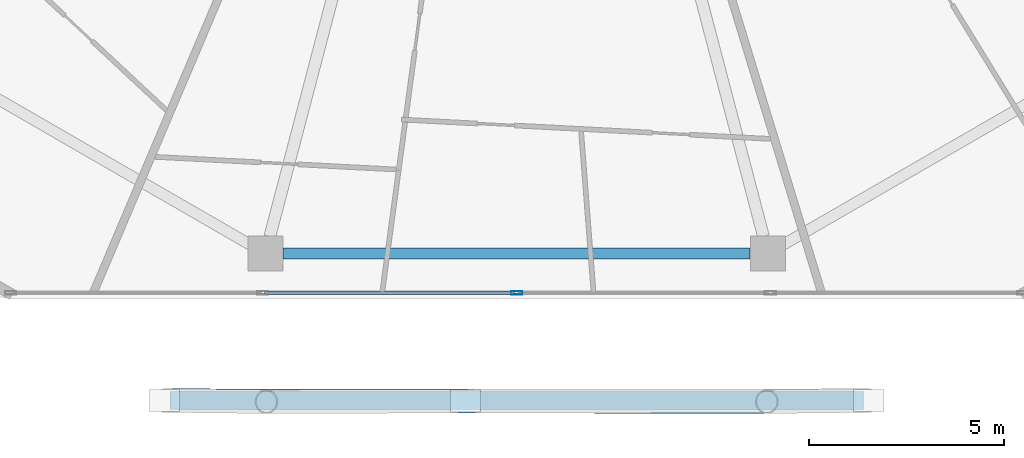
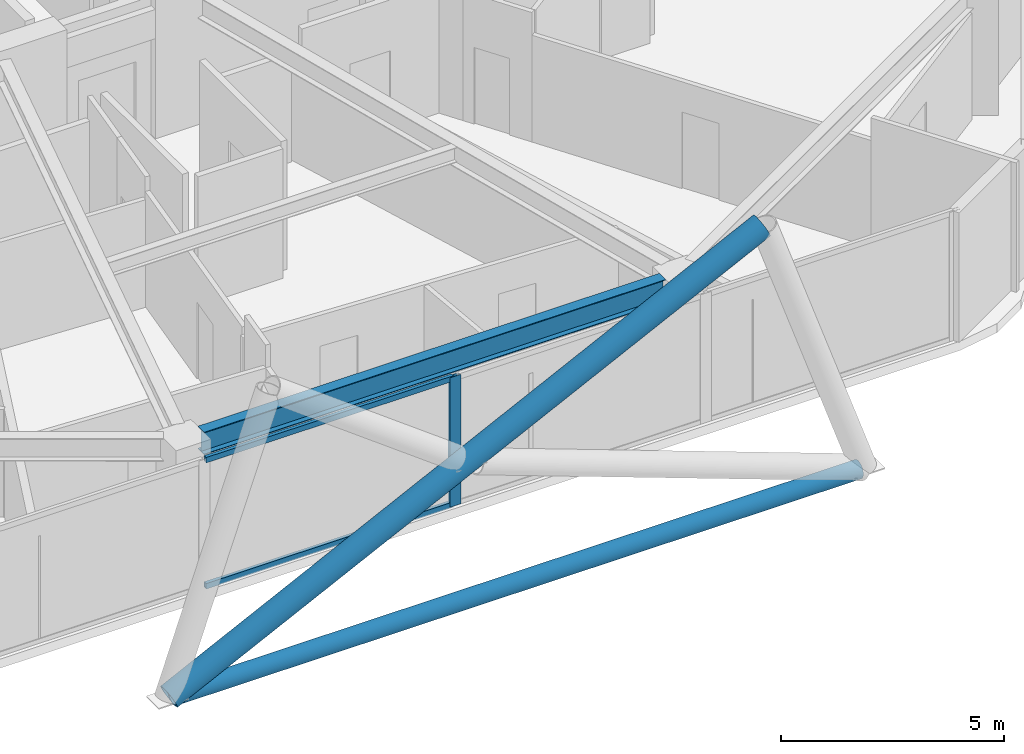
# One storey, part 4 of 27: 5 members, 1 beam, 1 element without a shape of its own.
"""IFC4 building model written with IfcOpenShell, lengths in metres."""

import ifcopenshell
import ifcopenshell.guid

model = None  # the IFC model being written
_history = None  # IfcOwnerHistory: only IFC2X3 demands one
_inside = {}  # id of a spatial element -> (the spatial element, [elements in it])
_under = {}  # id of a project, library or spatial element -> (it, [spatial elements below it])
_declared = {}  # id of a project -> (the project, [libraries it declares])
_typed = {}  # id of a type object -> (the type object, [elements of that type])
_made_of = {}  # id of a material, layer set ... -> (it, [elements and type objects made of it])


def new_model(schema):
    """Start an empty IFC model of exactly this schema.

    Asked for "IFC4X3", IfcOpenShell would pick the latest addendum, in which some entities
    have other attributes; the version numbers below select the first issue.
    IFC2X3 requires an IfcOwnerHistory on every rooted entity: one is made here for all.
    """
    global model, _history
    if schema == "IFC4X3":
        model = ifcopenshell.file(schema_version=(4, 3, 0, 0))
    else:
        model = ifcopenshell.file(schema=schema)
    _inside.clear()
    _under.clear()
    _declared.clear()
    _typed.clear()
    _made_of.clear()
    _history = None
    if model.schema == "IFC2X3":
        org = make("IfcOrganization", Name="unknown")
        user = make(
            "IfcPersonAndOrganization",
            ThePerson=make("IfcPerson", FamilyName="unknown"),
            TheOrganization=org,
        )
        app = make(
            "IfcApplication",
            ApplicationDeveloper=org,
            Version="unknown",
            ApplicationFullName="unknown",
            ApplicationIdentifier="unknown",
        )
        _history = make(
            "IfcOwnerHistory",
            OwningUser=user,
            OwningApplication=app,
            ChangeAction="ADDED",
            CreationDate=0,
        )
    return model


def make(cls, **values):
    """One entity of the class cls with the attributes given. An attribute that is None is left unset."""
    return model.create_entity(
        cls, **{name: value for name, value in values.items() if value is not None}
    )


def rooted(cls, **values):
    """An entity with a GlobalId (a new one), such as an element, a storey or a relation."""
    return make(cls, GlobalId=ifcopenshell.guid.new(), OwnerHistory=_history, **values)


def si_unit(unit_type, name, prefix=None):
    """IfcSIUnit, for example si_unit("LENGTHUNIT", "METRE", prefix="MILLI")."""
    return make("IfcSIUnit", UnitType=unit_type, Prefix=prefix, Name=name)


def assignment(units):
    """IfcUnitAssignment: the units of a project."""
    return None if units is None else make("IfcUnitAssignment", Units=units)


def point(xyz):
    """IfcCartesianPoint."""
    return None if xyz is None else make("IfcCartesianPoint", Coordinates=xyz)


def direction(xyz):
    """IfcDirection."""
    return None if xyz is None else make("IfcDirection", DirectionRatios=xyz)


def frame(location, z_axis=None, x_axis=None):
    """IfcAxis2Placement3D, a coordinate frame: its origin and axes. An axis left out is left unset."""
    return make(
        "IfcAxis2Placement3D",
        Location=point(location),
        Axis=direction(z_axis),
        RefDirection=direction(x_axis),
    )


def frame_2d(location, x_axis=None):
    """IfcAxis2Placement2D, a coordinate frame in the plane: its origin and x axis."""
    return make(
        "IfcAxis2Placement2D", Location=point(location), RefDirection=direction(x_axis)
    )


def origin():
    """The frame at (0, 0, 0) with its axes left unset."""
    return frame((0.0, 0.0, 0.0))


def origin_2d():
    """The frame at (0, 0) in the plane with its x axis left unset."""
    return frame_2d((0.0, 0.0))


def place(relative_to, where):
    """IfcLocalPlacement: puts the frame where relative to a parent placement (None: the world)."""
    return make(
        "IfcLocalPlacement", PlacementRelTo=relative_to, RelativePlacement=where
    )


def context(
    kind, dimensions, precision=None, world=None, true_north=None, identifier=None
):
    """IfcGeometricRepresentationContext, for example the 3D "Model" context."""
    return make(
        "IfcGeometricRepresentationContext",
        ContextIdentifier=identifier,
        ContextType=kind,
        CoordinateSpaceDimension=dimensions,
        Precision=precision,
        WorldCoordinateSystem=world,
        TrueNorth=true_north,
    )


def subcontext(parent, identifier, kind, view, scale=None):
    """IfcGeometricRepresentationSubContext, for example "Body" below "Model"."""
    return make(
        "IfcGeometricRepresentationSubContext",
        ContextIdentifier=identifier,
        ContextType=kind,
        ParentContext=parent,
        TargetScale=scale,
        TargetView=view,
    )


def project(units=None, contexts=None):
    """IfcProject with its units and contexts."""
    return rooted(
        "IfcProject",
        Name="project",
        RepresentationContexts=contexts,
        UnitsInContext=assignment(units),
    )


def spatial(cls, under=None, at=None, **own):
    """A site, building, storey or space (cls), placed at a placement, below another one or the project."""
    s = rooted(cls, ObjectPlacement=at, **own)
    if under is not None:
        _under.setdefault(under.id(), (under, []))[1].append(s)
    return s


def profile(cls, at=None, kind="AREA", **sizes):
    """A parametric profile (cls). Its sizes go by their IFC names, for example OverallWidth=200.0."""
    return make(cls, ProfileType=kind, Position=at, **sizes)


def hollow_rectangle(**sizes):
    """IfcRectangleHollowProfileDef."""
    return profile("IfcRectangleHollowProfileDef", **sizes)


def hollow_circle(**sizes):
    """IfcCircleHollowProfileDef."""
    return profile("IfcCircleHollowProfileDef", **sizes)


def i_section(**sizes):
    """IfcIShapeProfileDef."""
    return profile("IfcIShapeProfileDef", **sizes)


def extrude(swept, where, along, depth):
    """IfcExtrudedAreaSolid: the profile swept, set in the frame where, extruded along a direction by depth."""
    return make(
        "IfcExtrudedAreaSolid",
        SweptArea=swept,
        Position=where,
        ExtrudedDirection=direction(along),
        Depth=depth,
    )


def shape(context_of_items, identifier, shape_type, items):
    """IfcShapeRepresentation: the items that make up one representation, for example the "Body"."""
    return make(
        "IfcShapeRepresentation",
        ContextOfItems=context_of_items,
        RepresentationIdentifier=identifier,
        RepresentationType=shape_type,
        Items=items,
    )


def material(Name=None, Category=None):
    """IfcMaterial."""
    return make("IfcMaterial", Name=Name, Category=Category)


def material_profile(
    of_material, cross_section, Name=None, Category=None, Priority=None
):
    """IfcMaterialProfile: a cross section and its material."""
    return make(
        "IfcMaterialProfile",
        Name=Name,
        Material=of_material,
        Profile=cross_section,
        Priority=Priority,
        Category=Category,
    )


def profile_set(profiles, Name=None, composite=None):
    """IfcMaterialProfileSet."""
    return make(
        "IfcMaterialProfileSet",
        Name=Name,
        MaterialProfiles=profiles,
        CompositeProfile=composite,
    )


def made_of(thing, what):
    """Note that an element or type object is made of a material, layer set ...; save() writes the relation."""
    if what is not None:
        _made_of.setdefault(what.id(), (what, []))[1].append(thing)
    return thing


def type_object(cls, material=None, **own):
    """A type object (cls), such as IfcWallType, which elements share."""
    return made_of(rooted(cls, **own), material)


def element(
    cls,
    number,
    at=None,
    inside=None,
    cuts=None,
    type_object=None,
    material=None,
    context=None,
    identifier="Body",
    shape_type=None,
    held_by="IfcProductDefinitionShape",
    body=None,
    shapes=None,
    **own,
):
    """One element of the class cls, such as IfcWall. Its Tag is "e" and its number.

    at: its placement. inside: the storey or other place that contains it. cuts: it is an
    opening in that element (IfcRelVoidsElement). A single representation is given by context,
    identifier, shape_type and body (its items); several are given by shapes. held_by: the class
    of the entity that holds the representations. save() writes the other relations.
    """
    e = rooted(cls, Tag="e%d" % number, ObjectPlacement=at, **own)
    if body is not None:
        shapes = [shape(context, identifier, shape_type, body)]
    if shapes is not None:
        e.Representation = make(held_by, Representations=shapes)
    if inside is not None:
        _inside.setdefault(inside.id(), (inside, []))[1].append(e)
    if cuts is not None:
        rooted(
            "IfcRelVoidsElement", RelatingBuildingElement=cuts, RelatedOpeningElement=e
        )
    if type_object is not None:
        _typed.setdefault(type_object.id(), (type_object, []))[1].append(e)
    return made_of(e, material)


def aggregate(whole, parts):
    """IfcRelAggregates: a whole, such as a stair, and the parts it consists of."""
    return rooted("IfcRelAggregates", RelatingObject=whole, RelatedObjects=parts)


def save(model, path):
    """Write the relations noted so far, then the file.

    IfcRelAggregates (storeys below a building ...), IfcRelContainedInSpatialStructure (elements
    in a storey), IfcRelDefinesByType, IfcRelAssociatesMaterial and IfcRelDeclares: one each for
    every whole, place, type object, material and project.
    """
    for whole, parts in _under.values():
        aggregate(whole, parts)
    for where, things in _inside.values():
        rooted(
            "IfcRelContainedInSpatialStructure",
            RelatedElements=things,
            RelatingStructure=where,
        )
    for kind, things in _typed.values():
        rooted("IfcRelDefinesByType", RelatedObjects=things, RelatingType=kind)
    for what, things in _made_of.values():
        rooted("IfcRelAssociatesMaterial", RelatedObjects=things, RelatingMaterial=what)
    for by, libraries in _declared.values():
        rooted("IfcRelDeclares", RelatingContext=by, RelatedDefinitions=libraries)
    model.write(path)


model = new_model("IFC4")

# Units and contexts
model_context = context("Model", 3, precision=1e-05, world=origin(), true_north=direction((0.0, 1.0)))
body_context = subcontext(model_context, "Body", "Model", "MODEL_VIEW")
ifc_project = project(units=[si_unit("LENGTHUNIT", "METRE"), si_unit("AREAUNIT", "SQUARE_METRE"), si_unit("VOLUMEUNIT", "CUBIC_METRE"), si_unit("PLANEANGLEUNIT", "RADIAN"), si_unit("MASSUNIT", "GRAM", prefix="KILO")], contexts=[model_context])

# Site, building, storey
site_placement = place(None, origin())
site = spatial("IfcSite", under=ifc_project, at=site_placement, CompositionType="ELEMENT")
building_placement = place(site_placement, origin())
building = spatial("IfcBuilding", under=site, at=building_placement, Name="Zuhravey Tower", CompositionType="ELEMENT")
storey_placement = place(building_placement, frame((0.0, 0.0, 261.60009765625)))
storey = spatial("IfcBuildingStorey", under=building, at=storey_placement, Name="L66", CompositionType="ELEMENT", Elevation=261.60009765625)

# Curtain wall, members
ifc_material_1 = material(Name="Thermally broken anodised aluminium", Category="aluminium")
curtain_wall_type = type_object("IfcCurtainWallType", Name="Zone 3-4 High-Rise Curtain Wall CW4", PredefinedType="NOTDEFINED", material=ifc_material_1)
curtain_wall_placement = place(storey_placement, origin())
curtain_wall = element("IfcCurtainWall", 1, at=curtain_wall_placement, inside=storey, type_object=curtain_wall_type, Name="L66 CW4 CW-L66-F5-1", PredefinedType="NOTDEFINED")
ifc_material_2 = material(Name="Anodised aluminium", Category="aluminium")
ifc_material_profile_1 = material_profile(ifc_material_2, hollow_rectangle(XDim=0.090087890625, YDim=0.284912109375, WallThickness=0.0048828125, at=origin_2d()), Name="ALU-RHS-90x285x5")
ifc_profile_set_1 = profile_set([ifc_material_profile_1], Name="Anodised aluminium")
member_type_1 = type_object("IfcMemberType", Name="Curtain-Wall Mullion 90x180", PredefinedType="MULLION", material=ifc_profile_set_1)
member_1_placement = place(storey_placement, frame((36.0, 6.436279296875, 0.0), z_axis=(0.0, 0.0, 1.0), x_axis=(0.0, -1.0, 0.0)))
member_1 = element("IfcMember", 2, at=member_1_placement, type_object=member_type_1, Name="CW4 mullion 3", PredefinedType="MULLION", context=body_context, shape_type="SweptSolid", body=[
    extrude(hollow_rectangle(XDim=0.090087890625, YDim=0.284912109375, WallThickness=0.0048828125, at=origin_2d()), origin(), (0.0, 0.0, 1.0), 3.5498046875),
])
ifc_material_profile_2 = material_profile(ifc_material_2, hollow_rectangle(XDim=0.090087890625, YDim=0.14990234375, WallThickness=0.0048828125, at=origin_2d()), Name="ALU-RHS-90x150x5")
ifc_profile_set_2 = profile_set([ifc_material_profile_2], Name="Anodised aluminium")
member_type_2 = type_object("IfcMemberType", Name="Curtain-Wall Transom 90x150", PredefinedType="USERDEFINED", material=ifc_profile_set_2)
member_2_placement = place(storey_placement, frame((35.955078125, 6.436279296875, 0.044921875), z_axis=(-1.0, 0.0, 0.0), x_axis=(0.0, -1.0, 0.0)))
member_2 = element("IfcMember", 3, at=member_2_placement, type_object=member_type_2, Name="CW4 transom 3.1", ObjectType="TRANSOM", PredefinedType="USERDEFINED", context=body_context, shape_type="SweptSolid", body=[
    extrude(hollow_rectangle(XDim=0.090087890625, YDim=0.14990234375, WallThickness=0.0048828125, at=origin_2d()), origin(), (0.0, 0.0, 1.0), 6.41650390625),
])
member_3_placement = place(storey_placement, frame((35.955078125, 6.436279296875, 3.5048828125), z_axis=(-1.0, 0.0, 0.0), x_axis=(0.0, -1.0, 0.0)))
member_3 = element("IfcMember", 4, at=member_3_placement, type_object=member_type_2, Name="CW4 transom 3.2", ObjectType="TRANSOM", PredefinedType="USERDEFINED", context=body_context, shape_type="SweptSolid", body=[
    extrude(hollow_rectangle(XDim=0.090087890625, YDim=0.14990234375, WallThickness=0.0048828125, at=origin_2d()), origin(), (0.0, 0.0, 1.0), 6.41650390625),
])
aggregate(curtain_wall, [member_1, member_2, member_3])

# Members
ifc_material_3 = material(Name="Steel SM355", Category="steel")
ifc_material_profile_3 = material_profile(ifc_material_3, hollow_circle(Radius=0.228515625, WallThickness=0.02197265625, at=origin_2d()), Name="CHS-457.2x22")
ifc_profile_set_3 = profile_set([ifc_material_profile_3], Name="Steel SM355")
member_type_3 = type_object("IfcMemberType", Name="Exoskeleton Ring Tie CHS457x22", PredefinedType="CHORD", material=ifc_profile_set_3)
member_4_placement = place(storey_placement, frame((27.111083984375, 3.676513671875, -0.464111328125), z_axis=(1.0, 0.0, 0.0), x_axis=(0.0, 1.0, 0.0)))
element("IfcMember", 5, at=member_4_placement, inside=storey, type_object=member_type_3, Name="L66 Exoskeleton Face 5 Tie EXR1", PredefinedType="CHORD", context=body_context, shape_type="SweptSolid", body=[
    extrude(hollow_circle(Radius=0.228515625, WallThickness=0.02197265625, at=origin_2d()), origin(), (0.0, 0.0, 1.0), 17.77783203125),
])
ifc_material_profile_4 = material_profile(ifc_material_3, hollow_circle(Radius=0.3046875, WallThickness=0.028076171875, at=origin_2d()), Name="CHS-609.6x28")
ifc_profile_set_4 = profile_set([ifc_material_profile_4], Name="Steel SM355")
member_type_4 = type_object("IfcMemberType", Name="Exoskeleton Zone 3 Diagrid CHS610x28", PredefinedType="BRACE", material=ifc_profile_set_4)
member_5_placement = place(storey_placement, frame((27.007568359375, 3.67626953125, -0.446044921875), z_axis=(0.897160453497, -0.001739318523, 0.441701364558), x_axis=(0.001938689169, 0.99999812074, 0.0)))
element("IfcMember", 6, at=member_5_placement, inside=storey, type_object=member_type_4, Name="L66 Face 5 Diagrid Brace 2", PredefinedType="BRACE", context=body_context, shape_type="SweptSolid", body=[
    extrude(hollow_circle(Radius=0.3046875, WallThickness=0.028076171875, at=origin_2d()), origin(), (0.0, 0.0, 1.0), 17.12451171875),
])

# Beam
ifc_material_profile_5 = material_profile(ifc_material_3, i_section(OverallWidth=0.280029296875, OverallDepth=0.6201171875, WebThickness=0.011962890625, FlangeThickness=0.02001953125, at=origin_2d()), Name="H-620x280x12x20")
ifc_profile_set_5 = profile_set([ifc_material_profile_5], Name="Steel SM355")
beam_type = type_object("IfcBeamType", Name="Perimeter Ring Beam H620x280", PredefinedType="BEAM", material=ifc_profile_set_5)
beam_placement = place(storey_placement, frame((30.01220703125, 7.4462890625, 3.239990234375), z_axis=(1.0, 0.0, 0.0), x_axis=(0.0, 1.0, 0.0)))
element("IfcBeam", 7, at=beam_placement, inside=storey, type_object=beam_type, Name="L66 PB3 BM-L66-PB-09", PredefinedType="BEAM", context=body_context, shape_type="SweptSolid", body=[
    extrude(i_section(OverallWidth=0.280029296875, OverallDepth=0.6201171875, WebThickness=0.011962890625, FlangeThickness=0.02001953125, at=origin_2d()), origin(), (0.0, 0.0, 1.0), 11.9755859375),
])

save(model, "model.ifc")
